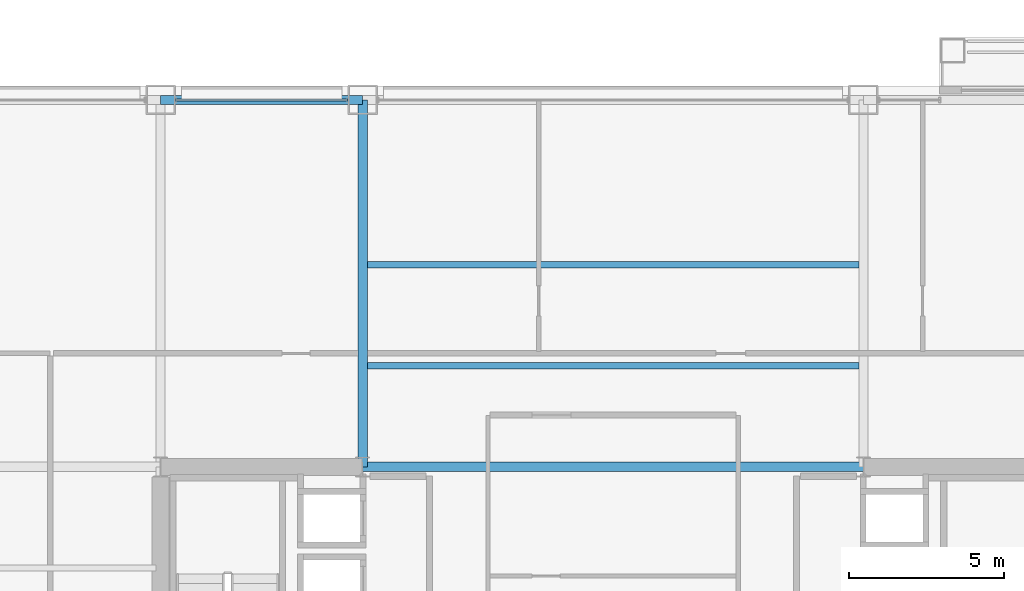
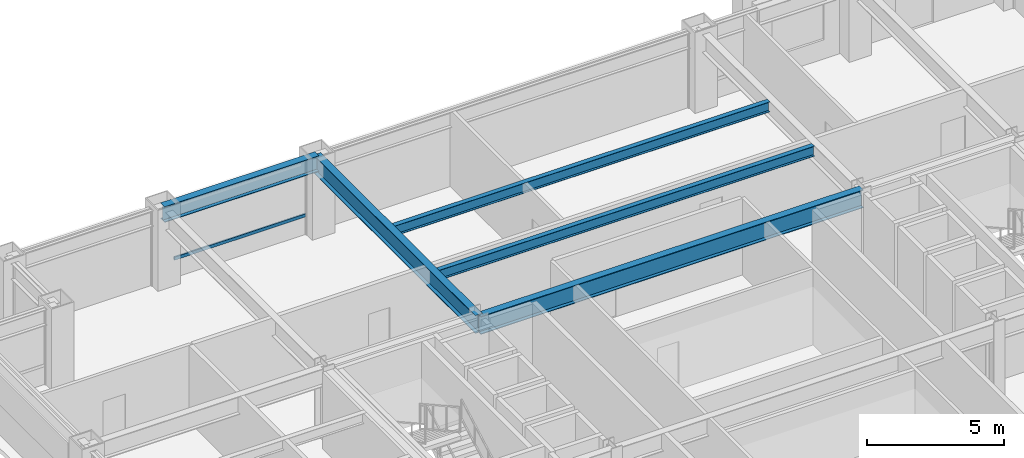
# One storey, part 17 of 31: 5 beams, 1 member, 1 element without a shape of its own.
"""IFC4 building model written with IfcOpenShell, lengths in metres."""

from ifc_helpers import new_model, si_unit, direction, frame, origin, origin_2d, place, context, subcontext, project, spatial, hollow_rectangle, i_section, extrude, material, layer, layer_set, material_profile, profile_set, type_object, element, aggregate, save


model = new_model("IFC4")

# Units and contexts
model_context = context("Model", 3, precision=1e-05, world=origin(), true_north=direction((0.0, 1.0)))
body_context = subcontext(model_context, "Body", "Model", "MODEL_VIEW")
ifc_project = project(units=[si_unit("LENGTHUNIT", "METRE"), si_unit("AREAUNIT", "SQUARE_METRE"), si_unit("VOLUMEUNIT", "CUBIC_METRE"), si_unit("PLANEANGLEUNIT", "RADIAN"), si_unit("MASSUNIT", "GRAM", prefix="KILO")], contexts=[model_context])

# Site, building, storey
site_placement = place(None, origin())
site = spatial("IfcSite", under=ifc_project, at=site_placement, CompositionType="ELEMENT")
building_placement = place(site_placement, origin())
building = spatial("IfcBuilding", under=site, at=building_placement, Name="Brelmoor Portico Tower", CompositionType="ELEMENT")
storey_placement = place(building_placement, frame((0.0, 0.0, 42.0)))
storey = spatial("IfcBuildingStorey", under=building, at=storey_placement, Name="L10", CompositionType="ELEMENT", Elevation=42.0)

# Beams
ifc_material_1 = material(Name="Steel Q355B", Category="steel")
ifc_material_profile_1 = material_profile(ifc_material_1, i_section(OverallWidth=0.199951171875, OverallDepth=0.449951171875, WebThickness=0.009033203125, FlangeThickness=0.013916015625, at=origin_2d()), Name="HN 450x200x9x14")
ifc_profile_set_1 = profile_set([ifc_material_profile_1], Name="Steel Q355B")
beam_type_1 = type_object("IfcBeamType", Name="BM-JS-450", PredefinedType="JOIST", material=ifc_profile_set_1)
for number, where, z_axis, x_axis, name in (
    (1, (-7.89990234375, 13.0, 3.175048828125), (1.0, 0.0, 0.0), (0.0, 1.0, 0.0), "L10 Secondary Composite Joist JS-C03"),
    (2, (-7.89990234375, 16.25, 3.175048828125), (1.0, 0.0, 0.0), (0.0, 1.0, 0.0), "L10 Secondary Composite Joist JS-C04"),
):
    element("IfcBeam", number, at=place(storey_placement, frame(where, z_axis=z_axis, x_axis=x_axis)), inside=storey, type_object=beam_type_1, Name=name, PredefinedType="JOIST", context=body_context, shape_type="SweptSolid", body=[
        extrude(i_section(OverallWidth=0.199951171875, OverallDepth=0.449951171875, WebThickness=0.009033203125, FlangeThickness=0.013916015625, at=origin_2d()), origin(), (0.0, 0.0, 1.0), 15.7998046875),
    ])
ifc_material_profile_2 = material_profile(ifc_material_1, i_section(OverallWidth=0.300048828125, OverallDepth=0.800048828125, WebThickness=0.013916015625, FlangeThickness=0.02587890625, at=origin_2d()), Name="HN 800x300x14x26")
ifc_profile_set_2 = profile_set([ifc_material_profile_2], Name="Steel Q355B")
beam_type_2 = type_object("IfcBeamType", Name="BM-PG-800", PredefinedType="BEAM", material=ifc_profile_set_2)
beam_1_placement = place(storey_placement, frame((-8.050048828125, 9.75, 3.0), z_axis=(0.0, 1.0, 0.0), x_axis=(-1.0, 0.0, 0.0)))
element("IfcBeam", 3, at=beam_1_placement, inside=storey, type_object=beam_type_2, Name="L10 Primary Floor Girder PG-08", PredefinedType="BEAM", context=body_context, shape_type="SweptSolid", body=[
    extrude(i_section(OverallWidth=0.300048828125, OverallDepth=0.800048828125, WebThickness=0.013916015625, FlangeThickness=0.02587890625, at=origin_2d()), origin(), (0.0, 0.0, 1.0), 11.800048828125),
])
beam_2_placement = place(storey_placement, frame((-8.050048828125, 9.75, 3.0), z_axis=(1.0, 0.0, 0.0), x_axis=(0.0, 1.0, 0.0)))
element("IfcBeam", 4, at=beam_2_placement, inside=storey, type_object=beam_type_2, Name="L10 Primary Floor Girder PG-29", PredefinedType="BEAM", context=body_context, shape_type="SweptSolid", body=[
    extrude(i_section(OverallWidth=0.300048828125, OverallDepth=0.800048828125, WebThickness=0.013916015625, FlangeThickness=0.02587890625, at=origin_2d()), origin(), (0.0, 0.0, 1.0), 16.10009765625),
])
ifc_material_profile_3 = material_profile(ifc_material_1, i_section(OverallWidth=0.300048828125, OverallDepth=0.699951171875, WebThickness=0.012939453125, FlangeThickness=0.02392578125, at=origin_2d()), Name="HN 700x300x13x24")
ifc_profile_set_3 = profile_set([ifc_material_profile_3], Name="Steel Q355B")
beam_type_3 = type_object("IfcBeamType", Name="BM-SP-700", PredefinedType="SPANDREL", material=ifc_profile_set_3)
beam_3_placement = place(storey_placement, frame((-14.550048828125, 21.550048828125, 3.050048828125), z_axis=(1.0, 0.0, 0.0), x_axis=(0.0, 1.0, 0.0)))
element("IfcBeam", 5, at=beam_3_placement, inside=storey, type_object=beam_type_3, Name="L10 Perimeter Spandrel Beam SP-11", PredefinedType="SPANDREL", context=body_context, shape_type="SweptSolid", body=[
    extrude(i_section(OverallWidth=0.300048828125, OverallDepth=0.699951171875, WebThickness=0.012939453125, FlangeThickness=0.02392578125, at=origin_2d()), origin(), (0.0, 0.0, 1.0), 6.5),
])

# Curtain wall, member
ifc_material_2 = material(Name="Anodised Aluminium Alloy 6063-T6", Category="aluminium")
ifc_layer = layer(ifc_material_2, 0.179931640625)
ifc_layer_set = layer_set([ifc_layer], Name="Anodised Aluminium Alloy 6063-T6")
curtain_wall_type = type_object("IfcCurtainWallType", Name="CW-TOWER-Z1", PredefinedType="NOTDEFINED", material=ifc_layer_set)
curtain_wall_placement = place(storey_placement, origin())
curtain_wall = element("IfcCurtainWall", 6, at=curtain_wall_placement, inside=storey, type_object=curtain_wall_type, Name="L10 Curtain Wall CW-L10-2L-2", PredefinedType="NOTDEFINED")
ifc_material_profile_4 = material_profile(ifc_material_2, hollow_rectangle(XDim=0.06494140625, YDim=0.139892578125, WallThickness=0.00390625, at=origin_2d()), Name="ALU TRANSOM 65x140")
ifc_profile_set_4 = profile_set([ifc_material_profile_4], Name="Anodised Aluminium Alloy 6063-T6")
member_type = type_object("IfcMemberType", Name="MB-CW-TRAN-140", PredefinedType="USERDEFINED", material=ifc_profile_set_4)
member_placement = place(storey_placement, frame((-14.06494140625, 21.550048828125, 0.85009765625), z_axis=(1.0, 0.0, 0.0), x_axis=(0.0, 1.0, 0.0)))
member = element("IfcMember", 7, at=member_placement, type_object=member_type, Name="CW-L10-2L-2 Transom 1-00", ObjectType="TRANSOM", PredefinedType="USERDEFINED", context=body_context, shape_type="SweptSolid", body=[
    extrude(hollow_rectangle(XDim=0.06494140625, YDim=0.139892578125, WallThickness=0.00390625, at=origin_2d()), origin(), (0.0, 0.0, 1.0), 5.530029296875),
])
aggregate(curtain_wall, [member])

save(model, "model.ifc")
